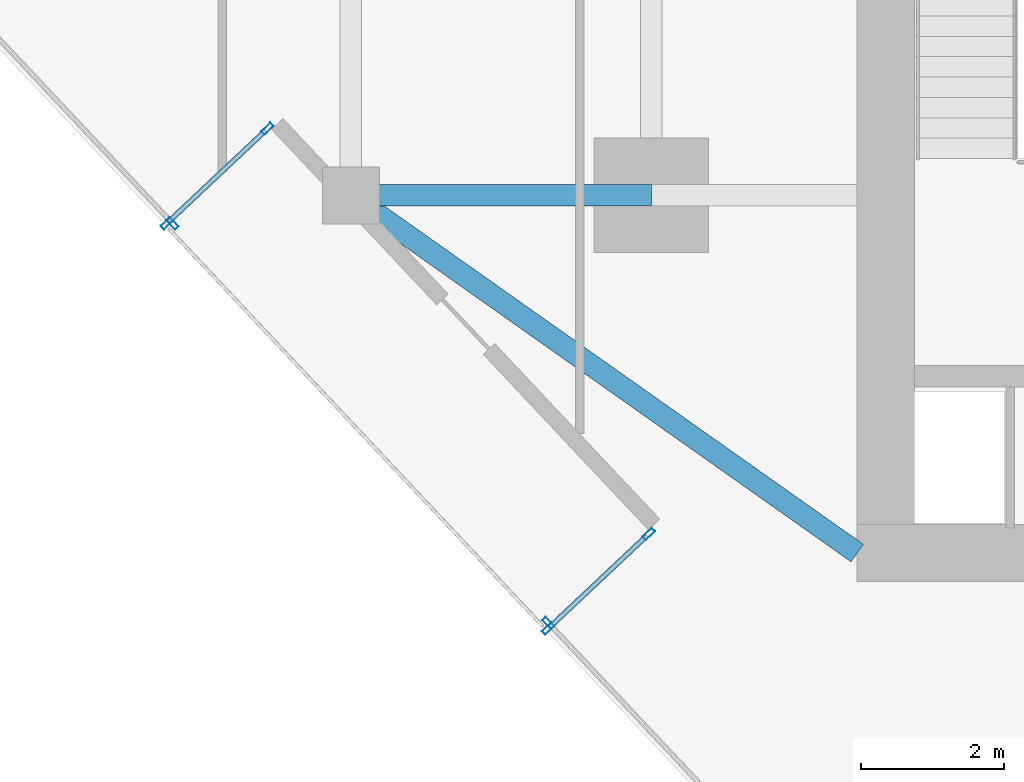
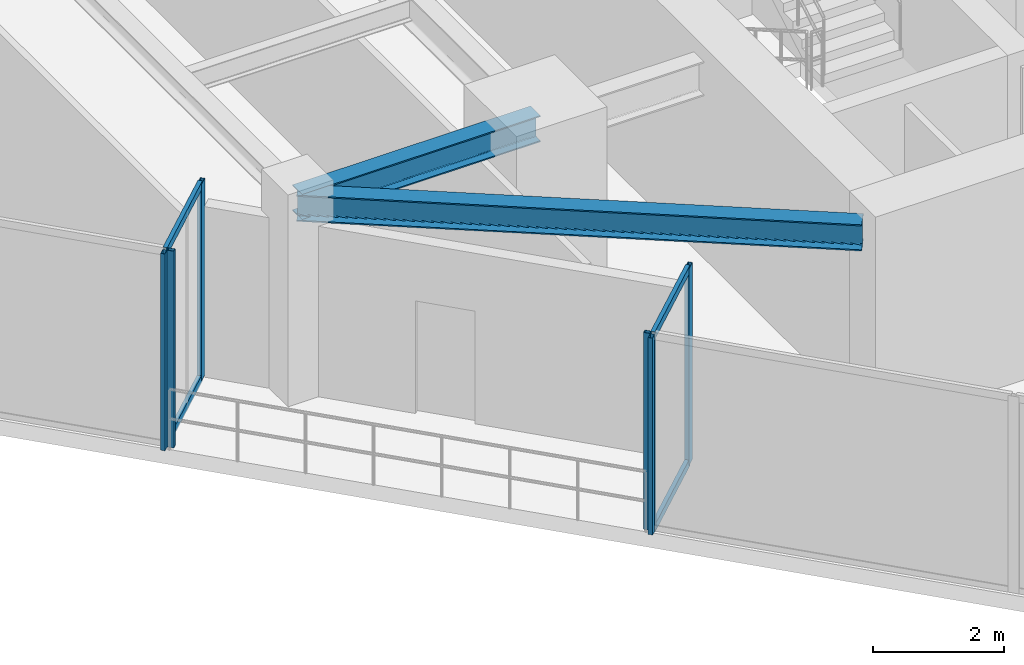
# One storey, part 2 of 24: 10 members, 2 beams, 4 elements without a shape of their own.
"""IFC4 building model written with IfcOpenShell, lengths in metres."""

from ifc_helpers import new_model, si_unit, direction, frame, origin, origin_2d, place, context, subcontext, project, spatial, hollow_rectangle, i_section, extrude, source, transform, mapped, material, material_profile, profile_set, type_object, type_shapes, element, aggregate, save


model = new_model("IFC4")

# Units and contexts
model_context = context("Model", 3, precision=1e-05, world=origin(), true_north=direction((0.0, 1.0)))
body_context = subcontext(model_context, "Body", "Model", "MODEL_VIEW")
ifc_project = project(units=[si_unit("LENGTHUNIT", "METRE"), si_unit("AREAUNIT", "SQUARE_METRE"), si_unit("VOLUMEUNIT", "CUBIC_METRE"), si_unit("PLANEANGLEUNIT", "RADIAN"), si_unit("MASSUNIT", "GRAM", prefix="KILO")], contexts=[model_context])

# Site, building, storey
site_placement = place(None, origin())
site = spatial("IfcSite", under=ifc_project, at=site_placement, CompositionType="ELEMENT")
building_placement = place(site_placement, origin())
building = spatial("IfcBuilding", under=site, at=building_placement, Name="Krantzveldt Concourse Tower", CompositionType="ELEMENT")
storey_placement = place(building_placement, frame((0.0, 0.0, 242.85009765625)))
storey = spatial("IfcBuildingStorey", under=building, at=storey_placement, Name="L59", CompositionType="ELEMENT", Elevation=242.85009765625)

# Beams
ifc_material_1 = material(Name="Steel S355JR", Category="steel")
ifc_material_profile_1 = material_profile(ifc_material_1, i_section(OverallWidth=0.300048828125, OverallDepth=0.489990234375, WebThickness=0.011962890625, FlangeThickness=0.02294921875, FilletRadius=0.027099609375, at=origin_2d()), Name="Steel S355JR", Category="steel")
ifc_profile_set_1 = profile_set([ifc_material_profile_1], Name="Steel S355JR - HEA 500")
beam_type = type_object("IfcBeamType", Name="BM-B-HEA500", PredefinedType="BEAM", material=ifc_profile_set_1)
shared_shape_1 = source(origin(), body_context, "Body", "SweptSolid", [
    extrude(i_section(OverallWidth=0.300048828125, OverallDepth=0.489990234375, WebThickness=0.011962890625, FlangeThickness=0.02294921875, FilletRadius=0.027099609375, at=origin_2d()), origin(), (0.0, 0.0, 1.0), 4.199951171875),
])
beam_1_placement = place(storey_placement, frame((21.0, 15.89990234375, 3.4248046875), z_axis=(1.0, 0.0, 0.0), x_axis=(0.0, 1.0, 0.0)))
element("IfcBeam", 1, at=beam_1_placement, inside=storey, type_object=beam_type, Name="L59 Tower Girder BR-RL1", PredefinedType="BEAM", context=body_context, shape_type="MappedRepresentation", body=[
    mapped(shared_shape_1, transform((0.0, 0.0, 0.0), x_axis=(1.0, 0.0, 0.0), y_axis=(0.0, 1.0, 0.0), z_axis=(0.0, 0.0, 1.0), scale=1.0)),
])
shared_shape_2 = source(origin(), body_context, "Body", "SweptSolid", [
    extrude(i_section(OverallWidth=0.300048828125, OverallDepth=0.489990234375, WebThickness=0.011962890625, FlangeThickness=0.02294921875, FilletRadius=0.027099609375, at=origin_2d()), origin(), (0.0, 0.0, 1.0), 8.667724609375),
])
type_shapes(beam_type, [shared_shape_1, shared_shape_2])
beam_2_placement = place(storey_placement, frame((21.0, 15.89990234375, 3.4248046875), z_axis=(0.81684294656, -0.576860122261, 0.0), x_axis=(0.576860122261, 0.81684294656, 0.0)))
element("IfcBeam", 2, at=beam_2_placement, inside=storey, type_object=beam_type, Name="L59 Tower Girder BR-CSW", PredefinedType="BEAM", context=body_context, shape_type="MappedRepresentation", body=[
    mapped(shared_shape_2, transform((0.0, 0.0, 0.0), x_axis=(1.0, 0.0, 0.0), y_axis=(0.0, 1.0, 0.0), z_axis=(0.0, 0.0, 1.0), scale=1.0)),
])

# Curtain wall, member
ifc_material_2 = material(Name="Anodised aluminium 6063-T6", Category="aluminium")
curtain_wall_type_1 = type_object("IfcCurtainWallType", Name="CW3", PredefinedType="USERDEFINED", material=ifc_material_2)
curtain_wall_1_placement = place(storey_placement, origin())
curtain_wall_1 = element("IfcCurtainWall", 3, at=curtain_wall_1_placement, inside=storey, type_object=curtain_wall_type_1, Name="CW-L59-F04", ObjectType="UNITISED CURTAIN WALL", PredefinedType="USERDEFINED")
ifc_material_profile_2 = material_profile(ifc_material_2, hollow_rectangle(XDim=0.070068359375, YDim=0.179931640625, WallThickness=0.0048828125, at=origin_2d()), Name="Anodised aluminium 6063-T6", Category="aluminium")
ifc_profile_set_2 = profile_set([ifc_material_profile_2], Name="Anodised aluminium 6063-T6 - ALU-MULL 180x70x5")
member_type_1 = type_object("IfcMemberType", Name="CW-MUL-180", PredefinedType="MULLION", material=ifc_profile_set_2)
shared_shape_3 = source(origin(), body_context, "Body", "SweptSolid", [
    extrude(hollow_rectangle(XDim=0.070068359375, YDim=0.179931640625, WallThickness=0.0048828125, at=origin_2d()), origin(), (0.0, 0.0, 1.0), 3.669921875),
])
type_shapes(member_type_1, [shared_shape_3])
member_1_placement = place(storey_placement, frame((18.50634765625, 15.5087890625, 0.0), z_axis=(0.0, 0.0, 1.0), x_axis=(0.728370998021, 0.685182960414, 0.0)))
member_1 = element("IfcMember", 4, at=member_1_placement, type_object=member_type_1, Name="CW-Z34 mullion 3", PredefinedType="MULLION", context=body_context, shape_type="MappedRepresentation", body=[
    mapped(shared_shape_3, transform((0.0, 0.0, 0.0), x_axis=(1.0, 0.0, 0.0), y_axis=(0.0, 1.0, 0.0), z_axis=(0.0, 0.0, 1.0), scale=1.0)),
])
aggregate(curtain_wall_1, [member_1])

# Curtain wall, members
curtain_wall_type_2 = type_object("IfcCurtainWallType", Name="CW6", PredefinedType="USERDEFINED", material=ifc_material_2)
curtain_wall_2_placement = place(storey_placement, origin())
curtain_wall_2 = element("IfcCurtainWall", 5, at=curtain_wall_2_placement, inside=storey, type_object=curtain_wall_type_2, Name="CW-L59-TR05", ObjectType="UNITISED CURTAIN WALL", PredefinedType="USERDEFINED")
member_2_placement = place(storey_placement, frame((18.428466796875, 15.510986328125, 0.0), z_axis=(0.0, 0.0, 1.0), x_axis=(-0.685181887913, 0.728372006928, 0.0)))
member_2 = element("IfcMember", 6, at=member_2_placement, type_object=member_type_1, Name="CW-TERR mullion 1", PredefinedType="MULLION", context=body_context, shape_type="MappedRepresentation", body=[
    mapped(shared_shape_3, transform((0.0, 0.0, 0.0), x_axis=(1.0, 0.0, 0.0), y_axis=(0.0, 1.0, 0.0), z_axis=(0.0, 0.0, 1.0), scale=1.0)),
])
member_3_placement = place(storey_placement, frame((19.834228515625, 16.83349609375, 0.0), z_axis=(0.0, 0.0, 1.0), x_axis=(-0.685181887913, 0.728372006928, 0.0)))
member_3 = element("IfcMember", 7, at=member_3_placement, type_object=member_type_1, Name="CW-TERR mullion 2", PredefinedType="MULLION", context=body_context, shape_type="MappedRepresentation", body=[
    mapped(shared_shape_3, transform((0.0, 0.0, 0.0), x_axis=(1.0, 0.0, 0.0), y_axis=(0.0, 1.0, 0.0), z_axis=(0.0, 0.0, 1.0), scale=1.0)),
])

curtain_wall_3_placement = place(storey_placement, origin())
curtain_wall_3 = element("IfcCurtainWall", 8, at=curtain_wall_3_placement, inside=storey, type_object=curtain_wall_type_2, Name="CW-L59-TR07", ObjectType="UNITISED CURTAIN WALL", PredefinedType="USERDEFINED")
member_4_placement = place(storey_placement, frame((25.1650390625, 11.166748046875, 0.0), z_axis=(0.0, 0.0, 1.0), x_axis=(0.685181887913, -0.728372006928, 0.0)))
member_4 = element("IfcMember", 9, at=member_4_placement, type_object=member_type_1, Name="CW-TERR mullion 1", PredefinedType="MULLION", context=body_context, shape_type="MappedRepresentation", body=[
    mapped(shared_shape_3, transform((0.0, 0.0, 0.0), x_axis=(1.0, 0.0, 0.0), y_axis=(0.0, 1.0, 0.0), z_axis=(0.0, 0.0, 1.0), scale=1.0)),
])
member_5_placement = place(storey_placement, frame((23.75927734375, 9.844482421875, 0.0), z_axis=(0.0, 0.0, 1.0), x_axis=(0.685181887913, -0.728372006928, 0.0)))
member_5 = element("IfcMember", 10, at=member_5_placement, type_object=member_type_1, Name="CW-TERR mullion 2", PredefinedType="MULLION", context=body_context, shape_type="MappedRepresentation", body=[
    mapped(shared_shape_3, transform((0.0, 0.0, 0.0), x_axis=(1.0, 0.0, 0.0), y_axis=(0.0, 1.0, 0.0), z_axis=(0.0, 0.0, 1.0), scale=1.0)),
])

# Curtain wall, member
curtain_wall_4_placement = place(storey_placement, origin())
curtain_wall_4 = element("IfcCurtainWall", 11, at=curtain_wall_4_placement, inside=storey, type_object=curtain_wall_type_1, Name="CW-L59-F08", ObjectType="UNITISED CURTAIN WALL", PredefinedType="USERDEFINED")
member_6_placement = place(storey_placement, frame((23.76171875, 9.922119140625, 0.0), z_axis=(0.0, 0.0, 1.0), x_axis=(0.728370998021, 0.685182960414, 0.0)))
member_6 = element("IfcMember", 12, at=member_6_placement, type_object=member_type_1, Name="CW-Z34 mullion 1", PredefinedType="MULLION", context=body_context, shape_type="MappedRepresentation", body=[
    mapped(shared_shape_3, transform((0.0, 0.0, 0.0), x_axis=(1.0, 0.0, 0.0), y_axis=(0.0, 1.0, 0.0), z_axis=(0.0, 0.0, 1.0), scale=1.0)),
])
aggregate(curtain_wall_4, [member_6])

# Member
ifc_material_profile_3 = material_profile(ifc_material_2, hollow_rectangle(XDim=0.070068359375, YDim=0.139892578125, WallThickness=0.0048828125, at=origin_2d()), Name="Anodised aluminium 6063-T6", Category="aluminium")
ifc_profile_set_3 = profile_set([ifc_material_profile_3], Name="Anodised aluminium 6063-T6 - ALU-TRAN 140x70x5")
member_type_2 = type_object("IfcMemberType", Name="CW-TRN-150", PredefinedType="USERDEFINED", material=ifc_profile_set_3)
shared_shape_4 = source(origin(), body_context, "Body", "SweptSolid", [
    extrude(hollow_rectangle(XDim=0.070068359375, YDim=0.139892578125, WallThickness=0.0048828125, at=origin_2d()), origin(), (0.0, 0.0, 1.0), 1.85986328125),
])
type_shapes(member_type_2, [shared_shape_4])
member_7_placement = place(storey_placement, frame((18.4541015625, 15.53515625, 0.034912109375), z_axis=(0.728369526423, 0.685184524766, 0.0), x_axis=(-0.685184524766, 0.728369526423, 0.0)))
member_7 = element("IfcMember", 13, at=member_7_placement, type_object=member_type_2, Name="CW-TERR transom 1.1", ObjectType="TRANSOM", PredefinedType="USERDEFINED", context=body_context, shape_type="MappedRepresentation", body=[
    mapped(shared_shape_4, transform((0.0, 0.0, 0.0), x_axis=(1.0, 0.0, 0.0), y_axis=(0.0, 1.0, 0.0), z_axis=(0.0, 0.0, 1.0), scale=1.0)),
])

member_8_placement = place(storey_placement, frame((18.4541015625, 15.53515625, 3.635009765625), z_axis=(0.728369526423, 0.685184524766, 0.0), x_axis=(-0.685184524766, 0.728369526423, 0.0)))
member_8 = element("IfcMember", 14, at=member_8_placement, type_object=member_type_2, Name="CW-TERR transom 1.2", ObjectType="TRANSOM", PredefinedType="USERDEFINED", context=body_context, shape_type="MappedRepresentation", body=[
    mapped(shared_shape_4, transform((0.0, 0.0, 0.0), x_axis=(1.0, 0.0, 0.0), y_axis=(0.0, 1.0, 0.0), z_axis=(0.0, 0.0, 1.0), scale=1.0)),
])

aggregate(curtain_wall_2, [member_2, member_3, member_7, member_8])

member_9_placement = place(storey_placement, frame((25.139404296875, 11.142822265625, 0.034912109375), z_axis=(-0.728369526423, -0.685184524766, 0.0), x_axis=(0.685184524766, -0.728369526423, 0.0)))
member_9 = element("IfcMember", 15, at=member_9_placement, type_object=member_type_2, Name="CW-TERR transom 1.1", ObjectType="TRANSOM", PredefinedType="USERDEFINED", context=body_context, shape_type="MappedRepresentation", body=[
    mapped(shared_shape_4, transform((0.0, 0.0, 0.0), x_axis=(1.0, 0.0, 0.0), y_axis=(0.0, 1.0, 0.0), z_axis=(0.0, 0.0, 1.0), scale=1.0)),
])

member_10_placement = place(storey_placement, frame((25.139404296875, 11.142822265625, 3.635009765625), z_axis=(-0.728369526423, -0.685184524766, 0.0), x_axis=(0.685184524766, -0.728369526423, 0.0)))
member_10 = element("IfcMember", 16, at=member_10_placement, type_object=member_type_2, Name="CW-TERR transom 1.2", ObjectType="TRANSOM", PredefinedType="USERDEFINED", context=body_context, shape_type="MappedRepresentation", body=[
    mapped(shared_shape_4, transform((0.0, 0.0, 0.0), x_axis=(1.0, 0.0, 0.0), y_axis=(0.0, 1.0, 0.0), z_axis=(0.0, 0.0, 1.0), scale=1.0)),
])

aggregate(curtain_wall_3, [member_4, member_5, member_9, member_10])

save(model, "model.ifc")
